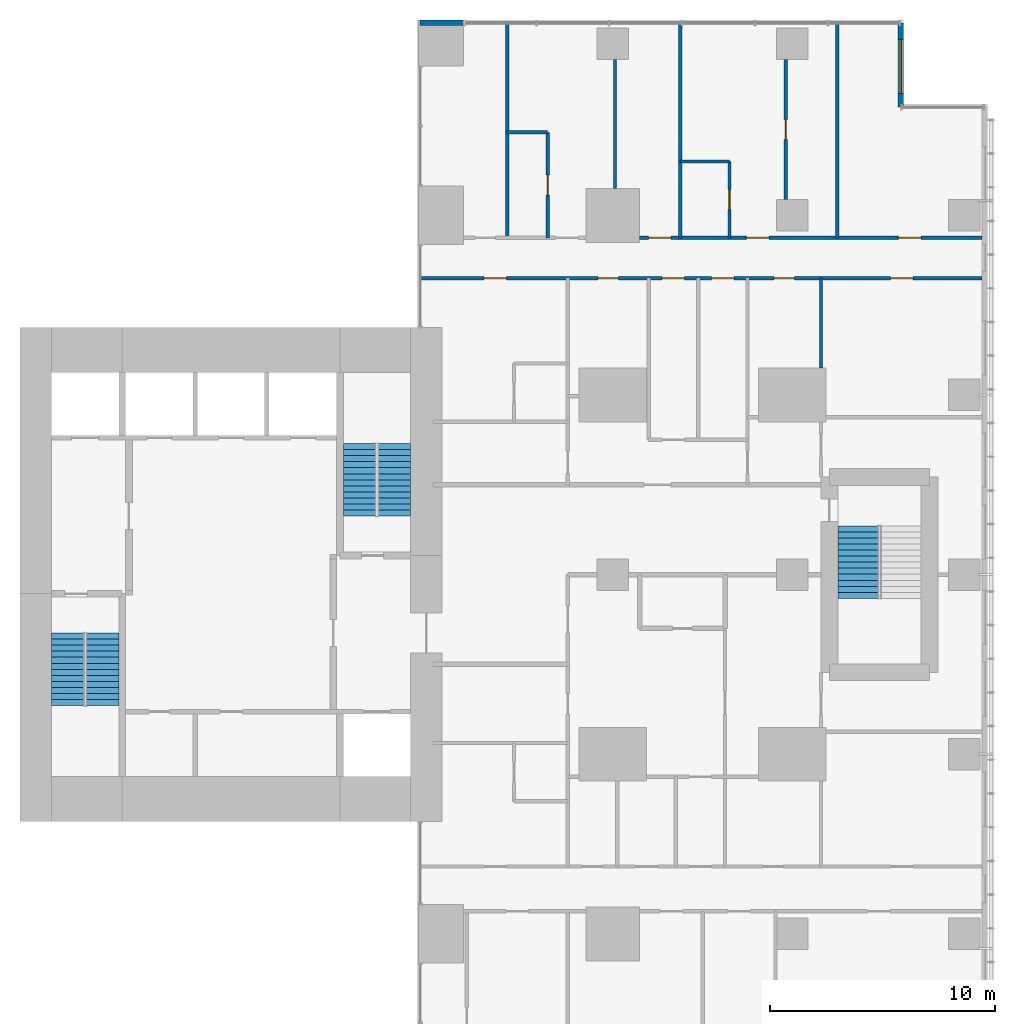
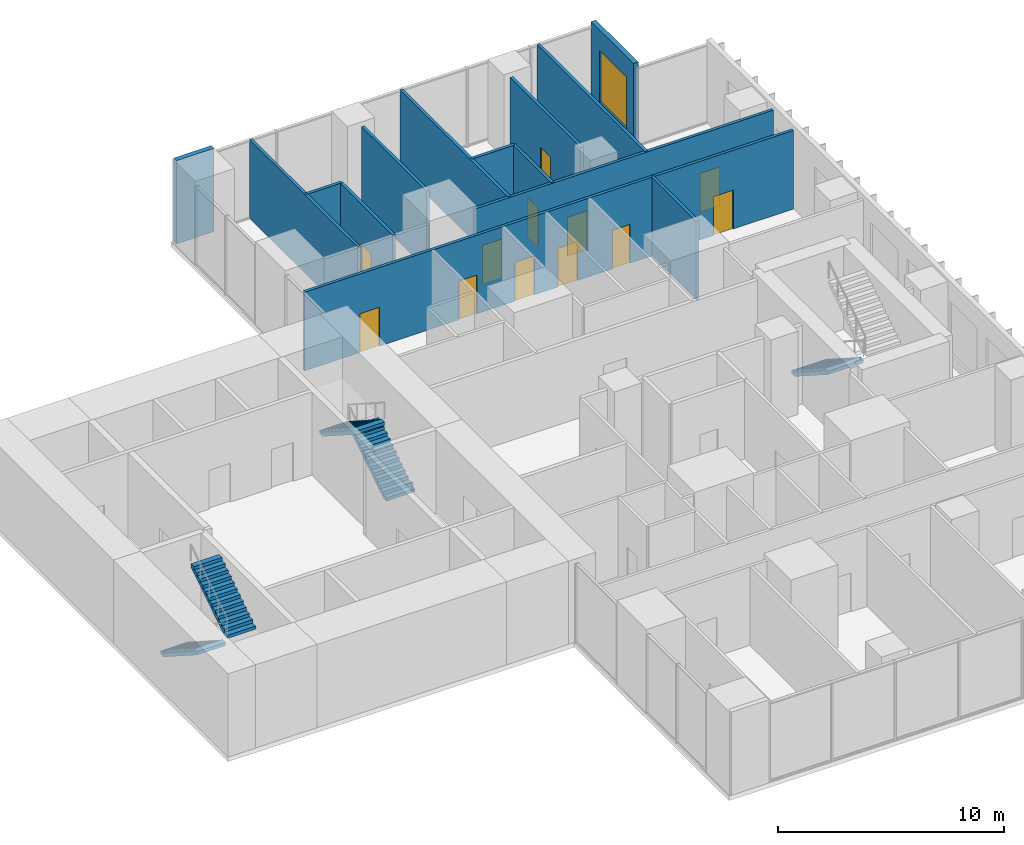
# One storey, part 10 of 12: 14 walls, 12 doors, 5 stair flights, 1 window, 13 openings, 3 elements without a shape of their own.
"""IFC4 building model written with IfcOpenShell, lengths in metres."""

from ifc_helpers import new_model, si_unit, direction, frame, frame_2d, origin, place, context, subcontext, project, spatial, polyline, rectangle, outline, extrude, material, layer, layer_set, type_object, element, fill, aggregate, save


model = new_model("IFC4")

# Units and contexts
model_context = context("Model", 3, precision=1e-05, world=origin(), true_north=direction((0.0, 1.0)))
body_context = subcontext(model_context, "Body", "Model", "MODEL_VIEW")
ifc_project = project(units=[si_unit("LENGTHUNIT", "METRE"), si_unit("AREAUNIT", "SQUARE_METRE"), si_unit("VOLUMEUNIT", "CUBIC_METRE"), si_unit("PLANEANGLEUNIT", "RADIAN"), si_unit("MASSUNIT", "GRAM", prefix="KILO")], contexts=[model_context])

# Site, building, storey
site_placement = place(None, origin())
site = spatial("IfcSite", under=ifc_project, at=site_placement, CompositionType="ELEMENT")
building_placement = place(site_placement, origin())
building = spatial("IfcBuilding", under=site, at=building_placement, Name="Cleftline Residences", CompositionType="ELEMENT")
storey_placement = place(building_placement, frame((0.0, 0.0, 282.60009765625)))
storey = spatial("IfcBuildingStorey", under=building, at=storey_placement, Name="L74", CompositionType="ELEMENT", Elevation=282.60009765625)

# Wall, opening, window
ifc_material_1 = material(Name="Rendered reinforced concrete blockwork", Category="masonry")
ifc_layer_1 = layer(ifc_material_1, 0.25)
ifc_layer_set_1 = layer_set([ifc_layer_1], Name="EXTERNAL WALL 250")
wall_type_1 = type_object("IfcWallType", Name="EXTERNAL WALL 250", PredefinedType="SOLIDWALL", material=ifc_layer_set_1)
wall_1_placement = place(storey_placement, frame((62.824951171875, 44.824951171875, 0.0), z_axis=(0.0, 0.0, 1.0), x_axis=(0.0, 1.0, 0.0)))
wall_1 = element("IfcWall", 1, at=wall_1_placement, inside=storey, type_object=wall_type_1, Name="External wall", PredefinedType="SOLIDWALL", context=body_context, shape_type="SweptSolid", body=[
    extrude(rectangle(XDim=3.75, YDim=0.25, at=frame_2d((1.875, 0.0))), origin(), (0.0, 0.0, 1.0), 4.5),
])
opening_1_placement = place(wall_1_placement, frame((0.612548828125, 0.0, 0.60009765625)))
opening_1 = element("IfcOpeningElement", 2, at=opening_1_placement, cuts=wall_1, Name="Opening W15", PredefinedType="OPENING", context=body_context, shape_type="SweptSolid", body=[
    extrude(rectangle(XDim=2.39990234375, YDim=2.800048828125, at=frame_2d((1.199951171875, 1.39990234375))), frame((0.0, 0.135009765625, 0.0), z_axis=(0.0, -1.0, 0.0), x_axis=(1.0, 0.0, 0.0)), (0.0, 0.0, 1.0), 0.27001953125),
])
ifc_material_2 = material(Name="Aluminium frame, clear double glazing", Category="aluminium")
window_type = type_object("IfcWindowType", Name="WINDOW 2400X2800", PartitioningType="DOUBLE_PANEL_VERTICAL", PredefinedType="WINDOW", material=ifc_material_2)
window_placement = place(opening_1_placement, origin())
window = element("IfcWindow", 3, at=window_placement, inside=storey, type_object=window_type, Name="Window", OverallHeight=2.800048828125, OverallWidth=2.39990234375, PartitioningType="SINGLE_PANEL", PredefinedType="WINDOW", context=body_context, shape_type="SweptSolid", body=[
    extrude(rectangle(XDim=2.39990234375, YDim=2.800048828125, at=frame_2d((1.199951171875, 1.39990234375))), frame((0.0, 0.030029296875, 0.0), z_axis=(0.0, -1.0, 0.0), x_axis=(1.0, 0.0, 0.0)), (0.0, 0.0, 1.0), 0.06005859375),
])
fill(opening_1, window)

# Wall
wall_2_placement = place(storey_placement, frame((43.35009765625, 48.574951171875, 0.0), z_axis=(0.0, 0.0, 1.0), x_axis=(-1.0, 0.0, 0.0)))
element("IfcWall", 4, at=wall_2_placement, inside=storey, type_object=wall_type_1, Name="External wall", PredefinedType="SOLIDWALL", context=body_context, shape_type="SweptSolid", body=[
    extrude(rectangle(XDim=1.925048828125, YDim=0.25, at=frame_2d((0.96240234375, 0.0))), origin(), (0.0, 0.0, 1.0), 4.5),
])

# Wall, openings, doors
ifc_material_3 = material(Name="Gypsum board on steel studs", Category="steel")
ifc_layer_2 = layer(ifc_material_3, 0.14990234375)
ifc_layer_set_2 = layer_set([ifc_layer_2], Name="PARTITION 150")
wall_type_2 = type_object("IfcWallType", Name="PARTITION 150", PredefinedType="PARTITIONING", material=ifc_layer_set_2)
wall_3_placement = place(storey_placement, frame((41.43896484375, 37.199951171875, 0.0), z_axis=(0.0, 0.0, 1.0), x_axis=(1.0, 0.0, 0.0)))
wall_3 = element("IfcWall", 5, at=wall_3_placement, inside=storey, type_object=wall_type_2, Name="Partition", PredefinedType="PARTITIONING", context=body_context, shape_type="SweptSolid", body=[
    extrude(rectangle(XDim=25.010986328125, YDim=0.14990234375, at=frame_2d((12.50537109375, 0.0))), origin(), (0.0, 0.0, 1.0), 4.25),
])
opening_2_placement = place(wall_3_placement, frame((10.760986328125, 0.0, 0.0)))
opening_2 = element("IfcOpeningElement", 6, at=opening_2_placement, cuts=wall_3, Name="Opening D2", PredefinedType="OPENING", context=body_context, shape_type="SweptSolid", body=[
    extrude(rectangle(XDim=1.0, YDim=2.10009765625, at=frame_2d((0.5, 1.050048828125))), frame((0.0, 0.0849609375, 0.0), z_axis=(0.0, -1.0, 0.0), x_axis=(1.0, 0.0, 0.0)), (0.0, 0.0, 1.0), 0.169921875),
])
opening_3_placement = place(wall_3_placement, frame((20.923583984375, 0.0, 0.0)))
opening_3 = element("IfcOpeningElement", 7, at=opening_3_placement, cuts=wall_3, Name="Opening D2", PredefinedType="OPENING", context=body_context, shape_type="SweptSolid", body=[
    extrude(rectangle(XDim=1.0, YDim=2.10009765625, at=frame_2d((0.5, 1.050048828125))), frame((0.0, 0.0849609375, 0.0), z_axis=(0.0, -1.0, 0.0), x_axis=(1.0, 0.0, 0.0)), (0.0, 0.0, 1.0), 0.169921875),
])
opening_4_placement = place(wall_3_placement, frame((15.74853515625, 0.0, 0.0)))
opening_4 = element("IfcOpeningElement", 8, at=opening_4_placement, cuts=wall_3, Name="Opening D1", PredefinedType="OPENING", context=body_context, shape_type="SweptSolid", body=[
    extrude(rectangle(XDim=0.89990234375, YDim=2.10009765625, at=frame_2d((0.449951171875, 1.050048828125))), frame((0.0, 0.0849609375, 0.0), z_axis=(0.0, -1.0, 0.0), x_axis=(1.0, 0.0, 0.0)), (0.0, 0.0, 1.0), 0.169921875),
])
opening_5_placement = place(wall_3_placement, frame((12.9609375, 0.0, 0.0)))
opening_5 = element("IfcOpeningElement", 9, at=opening_5_placement, cuts=wall_3, Name="Opening D2", PredefinedType="OPENING", context=body_context, shape_type="SweptSolid", body=[
    extrude(rectangle(XDim=1.0, YDim=2.10009765625, at=frame_2d((0.5, 1.050048828125))), frame((0.0, 0.0849609375, 0.0), z_axis=(0.0, -1.0, 0.0), x_axis=(1.0, 0.0, 0.0)), (0.0, 0.0, 1.0), 0.169921875),
])
opening_6_placement = place(wall_3_placement, frame((7.910888671875, 0.0, 0.0)))
opening_6 = element("IfcOpeningElement", 10, at=opening_6_placement, cuts=wall_3, Name="Opening D1", PredefinedType="OPENING", context=body_context, shape_type="SweptSolid", body=[
    extrude(rectangle(XDim=0.89990234375, YDim=2.10009765625, at=frame_2d((0.449951171875, 1.050048828125))), frame((0.0, 0.0849609375, 0.0), z_axis=(0.0, -1.0, 0.0), x_axis=(1.0, 0.0, 0.0)), (0.0, 0.0, 1.0), 0.169921875),
])
opening_7_placement = place(wall_3_placement, frame((2.8359375, 0.0, 0.0)))
opening_7 = element("IfcOpeningElement", 11, at=opening_7_placement, cuts=wall_3, Name="Opening D2", PredefinedType="OPENING", context=body_context, shape_type="SweptSolid", body=[
    extrude(rectangle(XDim=1.0, YDim=2.10009765625, at=frame_2d((0.5, 1.050048828125))), frame((0.0, 0.0849609375, 0.0), z_axis=(0.0, -1.0, 0.0), x_axis=(1.0, 0.0, 0.0)), (0.0, 0.0, 1.0), 0.169921875),
])
ifc_material_4 = material(Name="Timber veneer on solid core", Category="wood")
door_type_1 = type_object("IfcDoorType", Name="DOOR 1000X2100", OperationType="SINGLE_SWING_LEFT", PredefinedType="DOOR", material=ifc_material_4)
door_1_placement = place(opening_2_placement, origin())
door_1 = element("IfcDoor", 12, at=door_1_placement, inside=storey, type_object=door_type_1, Name="Door to residence hall", OperationType="SINGLE_SWING_RIGHT", OverallHeight=2.10009765625, OverallWidth=1.0, PredefinedType="DOOR", context=body_context, shape_type="SweptSolid", body=[
    extrude(rectangle(XDim=1.0, YDim=2.10009765625, at=frame_2d((0.5, 1.050048828125))), frame((0.0, 0.02490234375, 0.0), z_axis=(0.0, -1.0, 0.0), x_axis=(1.0, 0.0, 0.0)), (0.0, 0.0, 1.0), 0.050048828125),
])
fill(opening_2, door_1)
door_2_placement = place(opening_3_placement, origin())
door_2 = element("IfcDoor", 13, at=door_2_placement, inside=storey, type_object=door_type_1, Name="Door to master bedroom", OperationType="SINGLE_SWING_LEFT", OverallHeight=2.10009765625, OverallWidth=1.0, PredefinedType="DOOR", context=body_context, shape_type="SweptSolid", body=[
    extrude(rectangle(XDim=1.0, YDim=2.10009765625, at=frame_2d((0.5, 1.050048828125))), frame((0.0, 0.02490234375, 0.0), z_axis=(0.0, -1.0, 0.0), x_axis=(1.0, 0.0, 0.0)), (0.0, 0.0, 1.0), 0.050048828125),
])
fill(opening_3, door_2)
door_3_placement = place(opening_5_placement, origin())
door_3 = element("IfcDoor", 14, at=door_3_placement, inside=storey, type_object=door_type_1, Name="Door to family room", OperationType="SINGLE_SWING_LEFT", OverallHeight=2.10009765625, OverallWidth=1.0, PredefinedType="DOOR", context=body_context, shape_type="SweptSolid", body=[
    extrude(rectangle(XDim=1.0, YDim=2.10009765625, at=frame_2d((0.5, 1.050048828125))), frame((0.0, 0.02490234375, 0.0), z_axis=(0.0, -1.0, 0.0), x_axis=(1.0, 0.0, 0.0)), (0.0, 0.0, 1.0), 0.050048828125),
])
fill(opening_5, door_3)
door_4_placement = place(opening_7_placement, origin())
door_4 = element("IfcDoor", 15, at=door_4_placement, inside=storey, type_object=door_type_1, Name="Door to bedroom 4", OperationType="SINGLE_SWING_RIGHT", OverallHeight=2.10009765625, OverallWidth=1.0, PredefinedType="DOOR", context=body_context, shape_type="SweptSolid", body=[
    extrude(rectangle(XDim=1.0, YDim=2.10009765625, at=frame_2d((0.5, 1.050048828125))), frame((0.0, 0.02490234375, 0.0), z_axis=(0.0, -1.0, 0.0), x_axis=(1.0, 0.0, 0.0)), (0.0, 0.0, 1.0), 0.050048828125),
])
fill(opening_7, door_4)
ifc_material_5 = material(Name="Timber veneer on solid core", Category="wood")
door_type_2 = type_object("IfcDoorType", Name="DOOR 900X2100", OperationType="SINGLE_SWING_LEFT", PredefinedType="DOOR", material=ifc_material_5)
door_5_placement = place(opening_4_placement, origin())
door_5 = element("IfcDoor", 16, at=door_5_placement, inside=storey, type_object=door_type_2, Name="Door to master bathroom", OperationType="SINGLE_SWING_LEFT", OverallHeight=2.10009765625, OverallWidth=0.89990234375, PredefinedType="DOOR", context=body_context, shape_type="SweptSolid", body=[
    extrude(rectangle(XDim=0.89990234375, YDim=2.10009765625, at=frame_2d((0.449951171875, 1.050048828125))), frame((0.0, 0.02490234375, 0.0), z_axis=(0.0, -1.0, 0.0), x_axis=(1.0, 0.0, 0.0)), (0.0, 0.0, 1.0), 0.050048828125),
])
fill(opening_4, door_5)
door_6_placement = place(opening_6_placement, origin())
door_6 = element("IfcDoor", 17, at=door_6_placement, inside=storey, type_object=door_type_2, Name="Door to master dressing room", OperationType="SINGLE_SWING_RIGHT", OverallHeight=2.10009765625, OverallWidth=0.89990234375, PredefinedType="DOOR", context=body_context, shape_type="SweptSolid", body=[
    extrude(rectangle(XDim=0.89990234375, YDim=2.10009765625, at=frame_2d((0.449951171875, 1.050048828125))), frame((0.0, 0.02490234375, 0.0), z_axis=(0.0, -1.0, 0.0), x_axis=(1.0, 0.0, 0.0)), (0.0, 0.0, 1.0), 0.050048828125),
])
fill(opening_6, door_6)

wall_4_placement = place(storey_placement, frame((51.199951171875, 39.0, 0.0), z_axis=(0.0, 0.0, 1.0), x_axis=(1.0, 0.0, 0.0)))
wall_4 = element("IfcWall", 18, at=wall_4_placement, inside=storey, type_object=wall_type_2, Name="Partition", PredefinedType="PARTITIONING", context=body_context, shape_type="SweptSolid", body=[
    extrude(rectangle(XDim=15.25, YDim=0.14990234375, at=frame_2d((7.625, 0.0))), origin(), (0.0, 0.0, 1.0), 4.25),
])
opening_8_placement = place(wall_4_placement, frame((11.52490234375, 0.0, 0.0)))
opening_8 = element("IfcOpeningElement", 19, at=opening_8_placement, cuts=wall_4, Name="Opening D2", PredefinedType="OPENING", context=body_context, shape_type="SweptSolid", body=[
    extrude(rectangle(XDim=1.0, YDim=2.10009765625, at=frame_2d((0.5, 1.050048828125))), frame((0.0, 0.0849609375, 0.0), z_axis=(0.0, -1.0, 0.0), x_axis=(1.0, 0.0, 0.0)), (0.0, 0.0, 1.0), 0.169921875),
])
opening_9_placement = place(wall_4_placement, frame((4.75, 0.0, 0.0)))
opening_9 = element("IfcOpeningElement", 20, at=opening_9_placement, cuts=wall_4, Name="Opening D2", PredefinedType="OPENING", context=body_context, shape_type="SweptSolid", body=[
    extrude(rectangle(XDim=1.0, YDim=2.10009765625, at=frame_2d((0.5, 1.050048828125))), frame((0.0, 0.0849609375, 0.0), z_axis=(0.0, -1.0, 0.0), x_axis=(1.0, 0.0, 0.0)), (0.0, 0.0, 1.0), 0.169921875),
])
opening_10_placement = place(wall_4_placement, frame((0.39990234375, 0.0, 0.0)))
opening_10 = element("IfcOpeningElement", 21, at=opening_10_placement, cuts=wall_4, Name="Opening D2", PredefinedType="OPENING", context=body_context, shape_type="SweptSolid", body=[
    extrude(rectangle(XDim=1.0, YDim=2.10009765625, at=frame_2d((0.5, 1.050048828125))), frame((0.0, 0.0849609375, 0.0), z_axis=(0.0, -1.0, 0.0), x_axis=(1.0, 0.0, 0.0)), (0.0, 0.0, 1.0), 0.169921875),
])
door_7_placement = place(opening_8_placement, origin())
door_7 = element("IfcDoor", 22, at=door_7_placement, inside=storey, type_object=door_type_1, Name="Door to gym", OperationType="SINGLE_SWING_LEFT", OverallHeight=2.10009765625, OverallWidth=1.0, PredefinedType="DOOR", context=body_context, shape_type="SweptSolid", body=[
    extrude(rectangle(XDim=1.0, YDim=2.10009765625, at=frame_2d((0.5, 1.050048828125))), frame((0.0, 0.02490234375, 0.0), z_axis=(0.0, -1.0, 0.0), x_axis=(1.0, 0.0, 0.0)), (0.0, 0.0, 1.0), 0.050048828125),
])
fill(opening_8, door_7)
door_8_placement = place(opening_9_placement, origin())
door_8 = element("IfcDoor", 23, at=door_8_placement, inside=storey, type_object=door_type_1, Name="Door to bedroom 2", OperationType="SINGLE_SWING_RIGHT", OverallHeight=2.10009765625, OverallWidth=1.0, PredefinedType="DOOR", context=body_context, shape_type="SweptSolid", body=[
    extrude(rectangle(XDim=1.0, YDim=2.10009765625, at=frame_2d((0.5, 1.050048828125))), frame((0.0, 0.02490234375, 0.0), z_axis=(0.0, -1.0, 0.0), x_axis=(1.0, 0.0, 0.0)), (0.0, 0.0, 1.0), 0.050048828125),
])
fill(opening_9, door_8)
door_9_placement = place(opening_10_placement, origin())
door_9 = element("IfcDoor", 24, at=door_9_placement, inside=storey, type_object=door_type_1, Name="Door to bedroom 3 sitting room", OperationType="SINGLE_SWING_RIGHT", OverallHeight=2.10009765625, OverallWidth=1.0, PredefinedType="DOOR", context=body_context, shape_type="SweptSolid", body=[
    extrude(rectangle(XDim=1.0, YDim=2.10009765625, at=frame_2d((0.5, 1.050048828125))), frame((0.0, 0.02490234375, 0.0), z_axis=(0.0, -1.0, 0.0), x_axis=(1.0, 0.0, 0.0)), (0.0, 0.0, 1.0), 0.050048828125),
])
fill(opening_10, door_9)

# Walls
wall_5_placement = place(storey_placement, frame((53.0, 42.39990234375, 0.0), z_axis=(0.0, 0.0, 1.0), x_axis=(1.0, 0.0, 0.0)))
element("IfcWall", 25, at=wall_5_placement, inside=storey, type_object=wall_type_2, Name="Partition", PredefinedType="PARTITIONING", context=body_context, shape_type="SweptSolid", body=[
    extrude(rectangle(XDim=2.199951171875, YDim=0.14990234375, at=frame_2d((1.10009765625, 0.0))), origin(), (0.0, 0.0, 1.0), 4.25),
])
wall_6_placement = place(storey_placement, frame((45.300048828125, 43.699951171875, 0.0), z_axis=(0.0, 0.0, 1.0), x_axis=(1.0, 0.0, 0.0)))
element("IfcWall", 26, at=wall_6_placement, inside=storey, type_object=wall_type_2, Name="Partition", PredefinedType="PARTITIONING", context=body_context, shape_type="SweptSolid", body=[
    extrude(rectangle(XDim=1.800048828125, YDim=0.14990234375, at=frame_2d((0.89990234375, 0.0))), origin(), (0.0, 0.0, 1.0), 4.25),
])
wall_7_placement = place(storey_placement, frame((45.300048828125, 39.0, 0.0), z_axis=(0.0, 0.0, 1.0), x_axis=(0.0, 1.0, 0.0)))
element("IfcWall", 27, at=wall_7_placement, inside=storey, type_object=wall_type_2, Name="Partition", PredefinedType="PARTITIONING", context=body_context, shape_type="SweptSolid", body=[
    extrude(rectangle(XDim=9.56103515625, YDim=0.14990234375, at=frame_2d((4.780517578125, 0.0))), origin(), (0.0, 0.0, 1.0), 4.25),
])

# Wall, opening, door
wall_8_placement = place(storey_placement, frame((47.10009765625, 39.0, 0.0), z_axis=(0.0, 0.0, 1.0), x_axis=(0.0, 1.0, 0.0)))
wall_8 = element("IfcWall", 28, at=wall_8_placement, inside=storey, type_object=wall_type_2, Name="Partition", PredefinedType="PARTITIONING", context=body_context, shape_type="SweptSolid", body=[
    extrude(rectangle(XDim=4.699951171875, YDim=0.14990234375, at=frame_2d((2.35009765625, 0.0))), origin(), (0.0, 0.0, 1.0), 4.25),
])
opening_11_placement = place(wall_8_placement, frame((1.89990234375, 0.0, 0.0)))
opening_11 = element("IfcOpeningElement", 29, at=opening_11_placement, cuts=wall_8, Name="Opening D1", PredefinedType="OPENING", context=body_context, shape_type="SweptSolid", body=[
    extrude(rectangle(XDim=0.89990234375, YDim=2.10009765625, at=frame_2d((0.449951171875, 1.050048828125))), frame((0.0, 0.0849609375, 0.0), z_axis=(0.0, -1.0, 0.0), x_axis=(1.0, 0.0, 0.0)), (0.0, 0.0, 1.0), 0.169921875),
])
door_10_placement = place(opening_11_placement, origin())
door_10 = element("IfcDoor", 30, at=door_10_placement, inside=storey, type_object=door_type_2, Name="Door to en-suite bathroom 3", OperationType="SINGLE_SWING_LEFT", OverallHeight=2.10009765625, OverallWidth=0.89990234375, PredefinedType="DOOR", context=body_context, shape_type="SweptSolid", body=[
    extrude(rectangle(XDim=0.89990234375, YDim=2.10009765625, at=frame_2d((0.449951171875, 1.050048828125))), frame((0.0, 0.02490234375, 0.0), z_axis=(0.0, -1.0, 0.0), x_axis=(1.0, 0.0, 0.0)), (0.0, 0.0, 1.0), 0.050048828125),
])
fill(opening_11, door_10)

# Walls
wall_9_placement = place(storey_placement, frame((50.10009765625, 41.199951171875, 0.0), z_axis=(0.0, 0.0, 1.0), x_axis=(0.0, 1.0, 0.0)))
element("IfcWall", 31, at=wall_9_placement, inside=storey, type_object=wall_type_2, Name="Partition", PredefinedType="PARTITIONING", context=body_context, shape_type="SweptSolid", body=[
    extrude(rectangle(XDim=5.75, YDim=0.14990234375, at=frame_2d((2.875, 0.0))), origin(), (0.0, 0.0, 1.0), 4.25),
])
wall_10_placement = place(storey_placement, frame((53.0, 39.0, 0.0), z_axis=(0.0, 0.0, 1.0), x_axis=(0.0, 1.0, 0.0)))
element("IfcWall", 32, at=wall_10_placement, inside=storey, type_object=wall_type_2, Name="Partition", PredefinedType="PARTITIONING", context=body_context, shape_type="SweptSolid", body=[
    extrude(rectangle(XDim=9.56103515625, YDim=0.14990234375, at=frame_2d((4.780517578125, 0.0))), origin(), (0.0, 0.0, 1.0), 4.25),
])

# Wall, opening, door
wall_11_placement = place(storey_placement, frame((55.199951171875, 39.0, 0.0), z_axis=(0.0, 0.0, 1.0), x_axis=(0.0, 1.0, 0.0)))
wall_11 = element("IfcWall", 33, at=wall_11_placement, inside=storey, type_object=wall_type_2, Name="Partition", PredefinedType="PARTITIONING", context=body_context, shape_type="SweptSolid", body=[
    extrude(rectangle(XDim=3.39990234375, YDim=0.14990234375, at=frame_2d((1.699951171875, 0.0))), origin(), (0.0, 0.0, 1.0), 4.25),
])
opening_12_placement = place(wall_11_placement, frame((1.25, 0.0, 0.0)))
opening_12 = element("IfcOpeningElement", 34, at=opening_12_placement, cuts=wall_11, Name="Opening D1", PredefinedType="OPENING", context=body_context, shape_type="SweptSolid", body=[
    extrude(rectangle(XDim=0.89990234375, YDim=2.10009765625, at=frame_2d((0.449951171875, 1.050048828125))), frame((0.0, 0.0849609375, 0.0), z_axis=(0.0, -1.0, 0.0), x_axis=(1.0, 0.0, 0.0)), (0.0, 0.0, 1.0), 0.169921875),
])
door_11_placement = place(opening_12_placement, origin())
door_11 = element("IfcDoor", 35, at=door_11_placement, inside=storey, type_object=door_type_2, Name="Door to en-suite bathroom 2", OperationType="SINGLE_SWING_LEFT", OverallHeight=2.10009765625, OverallWidth=0.89990234375, PredefinedType="DOOR", context=body_context, shape_type="SweptSolid", body=[
    extrude(rectangle(XDim=0.89990234375, YDim=2.10009765625, at=frame_2d((0.449951171875, 1.050048828125))), frame((0.0, 0.02490234375, 0.0), z_axis=(0.0, -1.0, 0.0), x_axis=(1.0, 0.0, 0.0)), (0.0, 0.0, 1.0), 0.050048828125),
])
fill(opening_12, door_11)

wall_12_placement = place(storey_placement, frame((57.699951171875, 40.699951171875, 0.0), z_axis=(0.0, 0.0, 1.0), x_axis=(0.0, 1.0, 0.0)))
wall_12 = element("IfcWall", 36, at=wall_12_placement, inside=storey, type_object=wall_type_2, Name="Partition", PredefinedType="PARTITIONING", context=body_context, shape_type="SweptSolid", body=[
    extrude(rectangle(XDim=6.25, YDim=0.14990234375, at=frame_2d((3.125, 0.0))), origin(), (0.0, 0.0, 1.0), 4.25),
])
opening_13_placement = place(wall_12_placement, frame((2.675048828125, 0.0, 0.0)))
opening_13 = element("IfcOpeningElement", 37, at=opening_13_placement, cuts=wall_12, Name="Opening D1", PredefinedType="OPENING", context=body_context, shape_type="SweptSolid", body=[
    extrude(rectangle(XDim=0.89990234375, YDim=2.10009765625, at=frame_2d((0.449951171875, 1.050048828125))), frame((0.0, 0.0849609375, 0.0), z_axis=(0.0, -1.0, 0.0), x_axis=(1.0, 0.0, 0.0)), (0.0, 0.0, 1.0), 0.169921875),
])
door_12_placement = place(opening_13_placement, origin())
door_12 = element("IfcDoor", 38, at=door_12_placement, inside=storey, type_object=door_type_2, Name="Door to walk-in wardrobe", OperationType="SINGLE_SWING_LEFT", OverallHeight=2.10009765625, OverallWidth=0.89990234375, PredefinedType="DOOR", context=body_context, shape_type="SweptSolid", body=[
    extrude(rectangle(XDim=0.89990234375, YDim=2.10009765625, at=frame_2d((0.449951171875, 1.050048828125))), frame((0.0, 0.02490234375, 0.0), z_axis=(0.0, -1.0, 0.0), x_axis=(1.0, 0.0, 0.0)), (0.0, 0.0, 1.0), 0.050048828125),
])
fill(opening_13, door_12)

# Walls
wall_13_placement = place(storey_placement, frame((59.27490234375, 33.199951171875, 0.0), z_axis=(0.0, 0.0, 1.0), x_axis=(0.0, 1.0, 0.0)))
element("IfcWall", 39, at=wall_13_placement, inside=storey, type_object=wall_type_2, Name="Partition", PredefinedType="PARTITIONING", context=body_context, shape_type="SweptSolid", body=[
    extrude(rectangle(XDim=4.0, YDim=0.14990234375, at=frame_2d((2.0, 0.0))), origin(), (0.0, 0.0, 1.0), 4.25),
])
wall_14_placement = place(storey_placement, frame((60.0, 39.0, 0.0), z_axis=(0.0, 0.0, 1.0), x_axis=(0.0, 1.0, 0.0)))
element("IfcWall", 40, at=wall_14_placement, inside=storey, type_object=wall_type_2, Name="Partition", PredefinedType="PARTITIONING", context=body_context, shape_type="SweptSolid", body=[
    extrude(rectangle(XDim=9.56103515625, YDim=0.14990234375, at=frame_2d((4.780517578125, 0.0))), origin(), (0.0, 0.0, 1.0), 4.25),
])

# Stair, stair flights
ifc_material_6 = material(Name="Concrete B45, stone treads", Category="masonry")
stair_type_1 = type_object("IfcStairType", Name="STAIR A 1450 WIDE 173 RISER", PredefinedType="HALF_TURN_STAIR", material=ifc_material_6)
stair_1_placement = place(storey_placement, origin())
stair_1 = element("IfcStair", 41, at=stair_1_placement, inside=storey, type_object=stair_type_1, Name="Stair A L74", PredefinedType="HALF_TURN_STAIR")
ifc_material_7 = material(Name="Concrete B45", Category="concrete")
stair_flight_type_1 = type_object("IfcStairFlightType", Name="STAIR A FLIGHT 1450X173", PredefinedType="STRAIGHT", material=ifc_material_7)
stair_flight_1_placement = place(storey_placement, frame((25.72509765625, 21.39990234375, 0.0), z_axis=(0.0, 0.0, 1.0), x_axis=(0.0, -1.0, 0.0)))
stair_flight_1 = element("IfcStairFlight", 42, at=stair_flight_1_placement, type_object=stair_flight_type_1, Name="ST-A flight 1", NumberOfRisers=13, NumberOfTreads=12, PredefinedType="STRAIGHT", RiserHeight=0.173076923, TreadLength=0.27, context=body_context, shape_type="SweptSolid", body=[
    extrude(outline(polyline([(0.0, 0.0), (0.0, 0.013427734375), (0.0, 0.026611328125), (0.0, 0.0400390625), (0.0, 0.05322265625), (0.0, 0.066650390625), (0.0, 0.079833984375), (0.0, 0.09326171875), (0.0, 0.1064453125), (0.0, 0.119873046875), (0.0, 0.133056640625), (0.0, 0.146484375), (0.0, 0.15966796875), (0.0, 0.173095703125), (0.27001953125, 0.173095703125), (0.27001953125, 0.34619140625), (0.5400390625, 0.34619140625), (0.5400390625, 0.519287109375), (0.81005859375, 0.519287109375), (0.81005859375, 0.6923828125), (1.080078125, 0.6923828125), (1.080078125, 0.865478515625), (1.35009765625, 0.865478515625), (1.35009765625, 1.03857421875), (1.6201171875, 1.03857421875), (1.6201171875, 1.21142578125), (1.889892578125, 1.21142578125), (1.889892578125, 1.384521484375), (2.159912109375, 1.384521484375), (2.159912109375, 1.5576171875), (2.429931640625, 1.5576171875), (2.429931640625, 1.730712890625), (2.699951171875, 1.730712890625), (2.699951171875, 1.90380859375), (2.969970703125, 1.90380859375), (2.969970703125, 2.076904296875), (3.239990234375, 2.076904296875), (3.239990234375, 2.25), (3.239990234375, 2.222900390625), (3.239990234375, 2.196044921875), (3.239990234375, 2.1689453125), (3.239990234375, 2.141845703125), (3.239990234375, 2.114990234375), (3.239990234375, 2.087890625), (3.239990234375, 2.06103515625), (3.239990234375, 2.033935546875), (3.239990234375, 2.0068359375), (3.239990234375, 1.97998046875), (3.239990234375, 1.952880859375), (3.239990234375, 1.92578125), (3.239990234375, 1.89892578125), (0.27783203125, 0.0), (0.0, 0.0)])), frame((0.0, 0.72509765625, 0.0), z_axis=(0.0, -1.0, 0.0), x_axis=(1.0, 0.0, 0.0)), (0.0, 0.0, 1.0), 1.449951171875),
])
stair_flight_2_placement = place(storey_placement, frame((27.27490234375, 18.159912109375, 2.25), z_axis=(0.0, 0.0, 1.0), x_axis=(0.0, 1.0, 0.0)))
stair_flight_2 = element("IfcStairFlight", 43, at=stair_flight_2_placement, type_object=stair_flight_type_1, Name="ST-A flight 2", NumberOfRisers=13, NumberOfTreads=12, PredefinedType="STRAIGHT", RiserHeight=0.173076923, TreadLength=0.27, context=body_context, shape_type="SweptSolid", body=[
    extrude(outline(polyline([(0.0, 0.0), (0.0, 0.013427734375), (0.0, 0.026611328125), (0.0, 0.0400390625), (0.0, 0.05322265625), (0.0, 0.066650390625), (0.0, 0.079833984375), (0.0, 0.09326171875), (0.0, 0.1064453125), (0.0, 0.119873046875), (0.0, 0.133056640625), (0.0, 0.146484375), (0.0, 0.15966796875), (0.0, 0.173095703125), (0.27001953125, 0.173095703125), (0.27001953125, 0.34619140625), (0.5400390625, 0.34619140625), (0.5400390625, 0.519287109375), (0.81005859375, 0.519287109375), (0.81005859375, 0.6923828125), (1.080078125, 0.6923828125), (1.080078125, 0.865478515625), (1.35009765625, 0.865478515625), (1.35009765625, 1.03857421875), (1.6201171875, 1.03857421875), (1.6201171875, 1.21142578125), (1.889892578125, 1.21142578125), (1.889892578125, 1.384521484375), (2.159912109375, 1.384521484375), (2.159912109375, 1.5576171875), (2.429931640625, 1.5576171875), (2.429931640625, 1.730712890625), (2.699951171875, 1.730712890625), (2.699951171875, 1.90380859375), (2.969970703125, 1.90380859375), (2.969970703125, 2.076904296875), (3.239990234375, 2.076904296875), (3.239990234375, 2.25), (3.239990234375, 2.222900390625), (3.239990234375, 2.196044921875), (3.239990234375, 2.1689453125), (3.239990234375, 2.141845703125), (3.239990234375, 2.114990234375), (3.239990234375, 2.087890625), (3.239990234375, 2.06103515625), (3.239990234375, 2.033935546875), (3.239990234375, 2.0068359375), (3.239990234375, 1.97998046875), (3.239990234375, 1.952880859375), (3.239990234375, 1.92578125), (3.239990234375, 1.89892578125), (0.27783203125, 0.0), (0.0, 0.0)])), frame((0.0, 0.72509765625, 0.0), z_axis=(0.0, -1.0, 0.0), x_axis=(1.0, 0.0, 0.0)), (0.0, 0.0, 1.0), 1.449951171875),
])
aggregate(stair_1, [stair_flight_1, stair_flight_2])

ifc_material_8 = material(Name="Concrete B45, stone treads", Category="masonry")
stair_type_2 = type_object("IfcStairType", Name="STAIR B 1450 WIDE 173 RISER", PredefinedType="HALF_TURN_STAIR", material=ifc_material_8)
stair_2_placement = place(storey_placement, origin())
stair_2 = element("IfcStair", 44, at=stair_2_placement, inside=storey, type_object=stair_type_2, Name="Stair B L74", PredefinedType="HALF_TURN_STAIR")
ifc_material_9 = material(Name="Concrete B45", Category="concrete")
stair_flight_type_2 = type_object("IfcStairFlightType", Name="STAIR B FLIGHT 1450X173", PredefinedType="STRAIGHT", material=ifc_material_9)
stair_flight_3_placement = place(storey_placement, frame((40.27490234375, 26.60009765625, 0.0), z_axis=(0.0, 0.0, 1.0), x_axis=(0.0, 1.0, 0.0)))
stair_flight_3 = element("IfcStairFlight", 45, at=stair_flight_3_placement, type_object=stair_flight_type_2, Name="ST-B flight 1", NumberOfRisers=13, NumberOfTreads=12, PredefinedType="STRAIGHT", RiserHeight=0.173076923, TreadLength=0.27, context=body_context, shape_type="SweptSolid", body=[
    extrude(outline(polyline([(0.0, 0.0), (0.0, 0.013427734375), (0.0, 0.026611328125), (0.0, 0.0400390625), (0.0, 0.05322265625), (0.0, 0.066650390625), (0.0, 0.079833984375), (0.0, 0.09326171875), (0.0, 0.1064453125), (0.0, 0.119873046875), (0.0, 0.133056640625), (0.0, 0.146484375), (0.0, 0.15966796875), (0.0, 0.173095703125), (0.27001953125, 0.173095703125), (0.27001953125, 0.34619140625), (0.5400390625, 0.34619140625), (0.5400390625, 0.519287109375), (0.81005859375, 0.519287109375), (0.81005859375, 0.6923828125), (1.080078125, 0.6923828125), (1.080078125, 0.865478515625), (1.35009765625, 0.865478515625), (1.35009765625, 1.03857421875), (1.6201171875, 1.03857421875), (1.6201171875, 1.21142578125), (1.889892578125, 1.21142578125), (1.889892578125, 1.384521484375), (2.159912109375, 1.384521484375), (2.159912109375, 1.5576171875), (2.429931640625, 1.5576171875), (2.429931640625, 1.730712890625), (2.699951171875, 1.730712890625), (2.699951171875, 1.90380859375), (2.969970703125, 1.90380859375), (2.969970703125, 2.076904296875), (3.239990234375, 2.076904296875), (3.239990234375, 2.25), (3.239990234375, 2.222900390625), (3.239990234375, 2.196044921875), (3.239990234375, 2.1689453125), (3.239990234375, 2.141845703125), (3.239990234375, 2.114990234375), (3.239990234375, 2.087890625), (3.239990234375, 2.06103515625), (3.239990234375, 2.033935546875), (3.239990234375, 2.0068359375), (3.239990234375, 1.97998046875), (3.239990234375, 1.952880859375), (3.239990234375, 1.92578125), (3.239990234375, 1.89892578125), (0.27783203125, 0.0), (0.0, 0.0)])), frame((0.0, 0.72509765625, 0.0), z_axis=(0.0, -1.0, 0.0), x_axis=(1.0, 0.0, 0.0)), (0.0, 0.0, 1.0), 1.449951171875),
])
stair_flight_4_placement = place(storey_placement, frame((38.72509765625, 29.840087890625, 2.25), z_axis=(0.0, 0.0, 1.0), x_axis=(0.0, -1.0, 0.0)))
stair_flight_4 = element("IfcStairFlight", 46, at=stair_flight_4_placement, type_object=stair_flight_type_2, Name="ST-B flight 2", NumberOfRisers=13, NumberOfTreads=12, PredefinedType="STRAIGHT", RiserHeight=0.173076923, TreadLength=0.27, context=body_context, shape_type="SweptSolid", body=[
    extrude(outline(polyline([(0.0, 0.0), (0.0, 0.013427734375), (0.0, 0.026611328125), (0.0, 0.0400390625), (0.0, 0.05322265625), (0.0, 0.066650390625), (0.0, 0.079833984375), (0.0, 0.09326171875), (0.0, 0.1064453125), (0.0, 0.119873046875), (0.0, 0.133056640625), (0.0, 0.146484375), (0.0, 0.15966796875), (0.0, 0.173095703125), (0.27001953125, 0.173095703125), (0.27001953125, 0.34619140625), (0.5400390625, 0.34619140625), (0.5400390625, 0.519287109375), (0.81005859375, 0.519287109375), (0.81005859375, 0.6923828125), (1.080078125, 0.6923828125), (1.080078125, 0.865478515625), (1.35009765625, 0.865478515625), (1.35009765625, 1.03857421875), (1.6201171875, 1.03857421875), (1.6201171875, 1.21142578125), (1.889892578125, 1.21142578125), (1.889892578125, 1.384521484375), (2.159912109375, 1.384521484375), (2.159912109375, 1.5576171875), (2.429931640625, 1.5576171875), (2.429931640625, 1.730712890625), (2.699951171875, 1.730712890625), (2.699951171875, 1.90380859375), (2.969970703125, 1.90380859375), (2.969970703125, 2.076904296875), (3.239990234375, 2.076904296875), (3.239990234375, 2.25), (3.239990234375, 2.222900390625), (3.239990234375, 2.196044921875), (3.239990234375, 2.1689453125), (3.239990234375, 2.141845703125), (3.239990234375, 2.114990234375), (3.239990234375, 2.087890625), (3.239990234375, 2.06103515625), (3.239990234375, 2.033935546875), (3.239990234375, 2.0068359375), (3.239990234375, 1.97998046875), (3.239990234375, 1.952880859375), (3.239990234375, 1.92578125), (3.239990234375, 1.89892578125), (0.27783203125, 0.0), (0.0, 0.0)])), frame((0.0, 0.72509765625, 0.0), z_axis=(0.0, -1.0, 0.0), x_axis=(1.0, 0.0, 0.0)), (0.0, 0.0, 1.0), 1.449951171875),
])
aggregate(stair_2, [stair_flight_3, stair_flight_4])

# Stair, stair flight
ifc_material_10 = material(Name="Concrete B45, stone treads", Category="masonry")
stair_type_3 = type_object("IfcStairType", Name="STAIR E 1800 WIDE 173 RISER", PredefinedType="HALF_TURN_STAIR", material=ifc_material_10)
stair_3_placement = place(storey_placement, origin())
stair_3 = element("IfcStair", 47, at=stair_3_placement, inside=storey, type_object=stair_type_3, Name="Stair E L74", PredefinedType="HALF_TURN_STAIR")
ifc_material_11 = material(Name="Concrete B45", Category="concrete")
stair_flight_type_3 = type_object("IfcStairFlightType", Name="STAIR E FLIGHT 1800X173", PredefinedType="STRAIGHT", material=ifc_material_11)
stair_flight_5_placement = place(storey_placement, frame((60.925048828125, 26.175048828125, 0.0), z_axis=(0.0, 0.0, 1.0), x_axis=(0.0, -1.0, 0.0)))
stair_flight_5 = element("IfcStairFlight", 48, at=stair_flight_5_placement, type_object=stair_flight_type_3, Name="ST-E flight 1", NumberOfRisers=13, NumberOfTreads=12, PredefinedType="STRAIGHT", RiserHeight=0.173076923, TreadLength=0.27, context=body_context, shape_type="SweptSolid", body=[
    extrude(outline(polyline([(0.0, 0.0), (0.0, 0.013427734375), (0.0, 0.026611328125), (0.0, 0.0400390625), (0.0, 0.05322265625), (0.0, 0.066650390625), (0.0, 0.079833984375), (0.0, 0.09326171875), (0.0, 0.1064453125), (0.0, 0.119873046875), (0.0, 0.133056640625), (0.0, 0.146484375), (0.0, 0.15966796875), (0.0, 0.173095703125), (0.27001953125, 0.173095703125), (0.27001953125, 0.34619140625), (0.5400390625, 0.34619140625), (0.5400390625, 0.519287109375), (0.81005859375, 0.519287109375), (0.81005859375, 0.6923828125), (1.080078125, 0.6923828125), (1.080078125, 0.865478515625), (1.35009765625, 0.865478515625), (1.35009765625, 1.03857421875), (1.6201171875, 1.03857421875), (1.6201171875, 1.21142578125), (1.889892578125, 1.21142578125), (1.889892578125, 1.384521484375), (2.159912109375, 1.384521484375), (2.159912109375, 1.5576171875), (2.429931640625, 1.5576171875), (2.429931640625, 1.730712890625), (2.699951171875, 1.730712890625), (2.699951171875, 1.90380859375), (2.969970703125, 1.90380859375), (2.969970703125, 2.076904296875), (3.239990234375, 2.076904296875), (3.239990234375, 2.25), (3.239990234375, 2.222900390625), (3.239990234375, 2.196044921875), (3.239990234375, 2.1689453125), (3.239990234375, 2.141845703125), (3.239990234375, 2.114990234375), (3.239990234375, 2.087890625), (3.239990234375, 2.06103515625), (3.239990234375, 2.033935546875), (3.239990234375, 2.0068359375), (3.239990234375, 1.97998046875), (3.239990234375, 1.952880859375), (3.239990234375, 1.92578125), (3.239990234375, 1.89892578125), (0.27783203125, 0.0), (0.0, 0.0)])), frame((0.0, 0.89990234375, 0.0), z_axis=(0.0, -1.0, 0.0), x_axis=(1.0, 0.0, 0.0)), (0.0, 0.0, 1.0), 1.800048828125),
])
aggregate(stair_3, [stair_flight_5])

save(model, "model.ifc")
